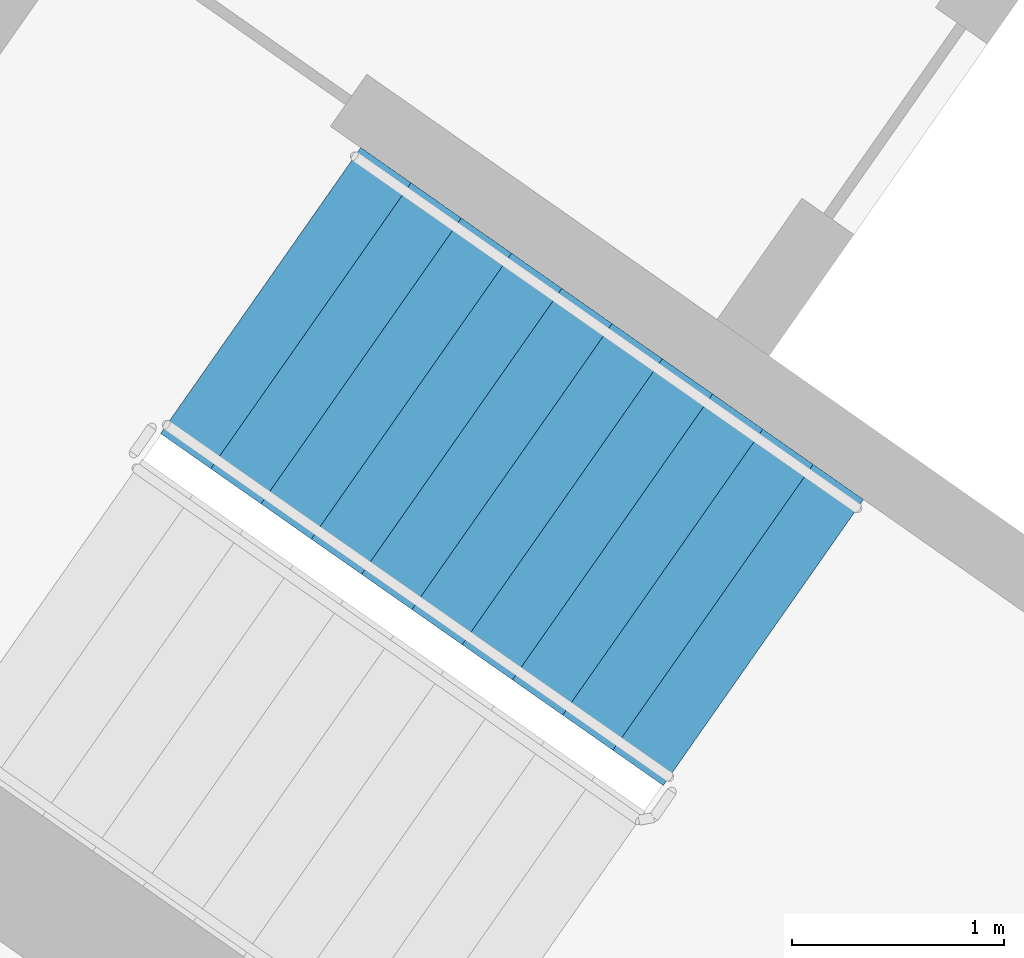
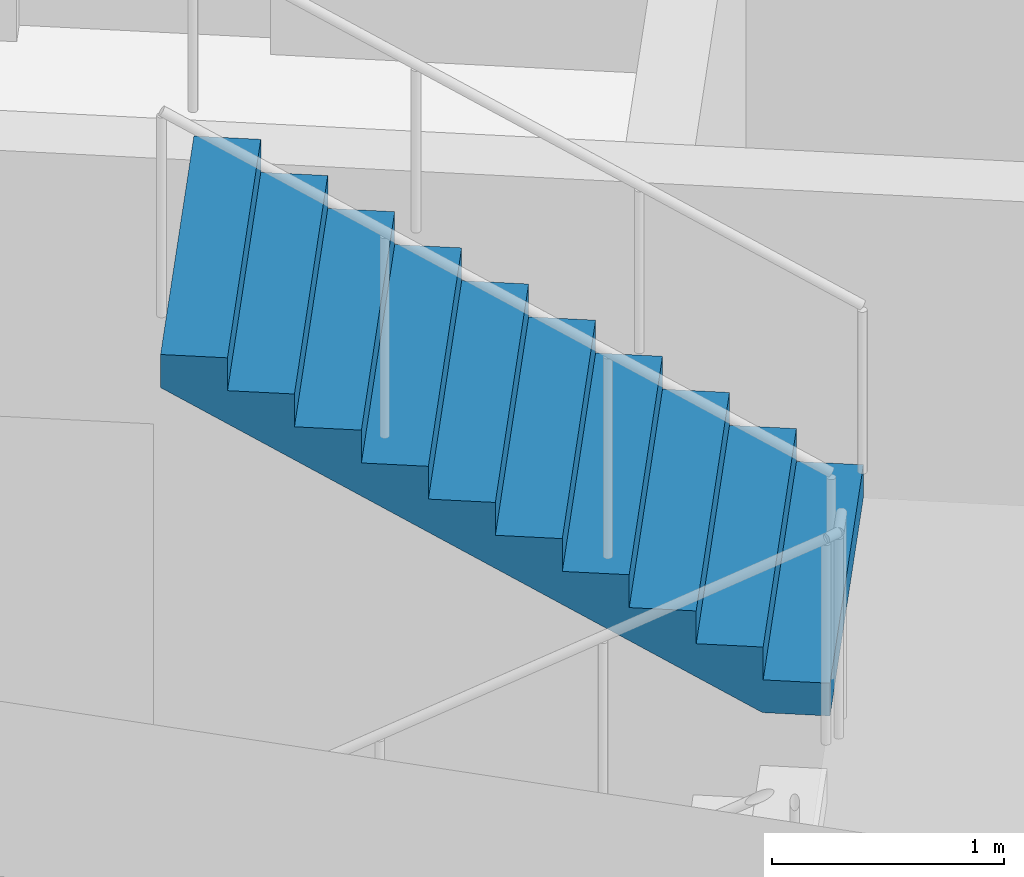
# One storey, part 11 of 28: 1 stair flight, 1 element without a shape of its own.
"""IFC4 building model written with IfcOpenShell, lengths in metres."""

from ifc_helpers import new_model, si_unit, direction, frame, origin, place, context, subcontext, project, spatial, faceted_brep, material, type_object, element, aggregate, save


model = new_model("IFC4")

# Units and contexts
model_context = context("Model", 3, precision=1e-05, world=origin(), true_north=direction((0.0, 1.0)))
body_context = subcontext(model_context, "Body", "Model", "MODEL_VIEW")
ifc_project = project(units=[si_unit("LENGTHUNIT", "METRE"), si_unit("AREAUNIT", "SQUARE_METRE"), si_unit("VOLUMEUNIT", "CUBIC_METRE"), si_unit("PLANEANGLEUNIT", "RADIAN"), si_unit("MASSUNIT", "GRAM", prefix="KILO")], contexts=[model_context])

# Site, building, storey
site_placement = place(None, origin())
site = spatial("IfcSite", under=ifc_project, at=site_placement, CompositionType="ELEMENT")
building_placement = place(site_placement, origin())
building = spatial("IfcBuilding", under=site, at=building_placement, Name="Qamariyya Broadcast Tower", CompositionType="ELEMENT")
storey_placement = place(building_placement, frame((0.0, 0.0, 215.10009765625)))
storey = spatial("IfcBuildingStorey", under=building, at=storey_placement, Name="L51", CompositionType="ELEMENT", Elevation=215.10009765625)

# Stair, stair flight
ifc_material = material(Name="Concrete C50/60", Category="concrete")
stair_type = type_object("IfcStairType", Name="Exit stair 22 risers of 173 mm", PredefinedType="HALF_TURN_STAIR", material=ifc_material)
stair_placement = place(storey_placement, origin())
stair = element("IfcStair", 1, at=stair_placement, inside=storey, type_object=stair_type, Name="L51 Stair W1", PredefinedType="HALF_TURN_STAIR")
stair_flight_type = type_object("IfcStairFlightType", Name="Exit stair flight 11 risers of 173 mm", PredefinedType="STRAIGHT", material=ifc_material)
stair_flight_placement = place(storey_placement, frame((-43.660888671875, -57.17138671875, 1.89990234375), z_axis=(0.0, 0.0, 1.0), x_axis=(-0.819152044289, 0.573576436351, 0.0)))
stair_flight = element("IfcStairFlight", 2, at=stair_flight_placement, type_object=stair_flight_type, Name="ST-W1 flight 2", NumberOfRisers=11, NumberOfTreads=10, PredefinedType="STRAIGHT", RiserHeight=0.172727273, TreadLength=0.29, context=body_context, shape_type="Brep", body=[
    faceted_brep([(0.0, 0.824951171875, 0.0), (0.0, 0.824951171875, 0.172607421875), (0.2900390625, 0.824951171875, 0.172607421875), (0.2900390625, 0.824951171875, 0.345458984375), (0.580078125, 0.824951171875, 0.345458984375), (0.580078125, 0.824951171875, 0.51806640625), (0.8701171875, 0.824951171875, 0.51806640625), (0.8701171875, 0.824951171875, 0.69091796875), (1.159912109375, 0.824951171875, 0.69091796875), (1.159912109375, 0.824951171875, 0.863525390625), (1.449951171875, 0.824951171875, 0.863525390625), (1.449951171875, 0.824951171875, 1.036376953125), (1.739990234375, 0.824951171875, 1.036376953125), (1.739990234375, 0.824951171875, 1.208984375), (2.030029296875, 0.824951171875, 1.208984375), (2.030029296875, 0.824951171875, 1.3818359375), (2.320068359375, 0.824951171875, 1.3818359375), (2.320068359375, 0.824951171875, 1.554443359375), (2.610107421875, 0.824951171875, 1.554443359375), (2.610107421875, 0.824951171875, 1.727294921875), (2.89990234375, 0.824951171875, 1.727294921875), (2.89990234375, 0.824951171875, 1.552734375), (0.29296875, 0.824951171875, 0.0), (0.29296875, -0.824951171875, 0.0), (2.89990234375, -0.824951171875, 1.552734375), (2.89990234375, -0.824951171875, 1.727294921875), (2.610107421875, -0.824951171875, 1.727294921875), (2.610107421875, -0.824951171875, 1.554443359375), (2.320068359375, -0.824951171875, 1.554443359375), (2.320068359375, -0.824951171875, 1.3818359375), (2.030029296875, -0.824951171875, 1.3818359375), (2.030029296875, -0.824951171875, 1.208984375), (1.739990234375, -0.824951171875, 1.208984375), (1.739990234375, -0.824951171875, 1.036376953125), (1.449951171875, -0.824951171875, 1.036376953125), (1.449951171875, -0.824951171875, 0.863525390625), (1.159912109375, -0.824951171875, 0.863525390625), (1.159912109375, -0.824951171875, 0.69091796875), (0.8701171875, -0.824951171875, 0.69091796875), (0.8701171875, -0.824951171875, 0.51806640625), (0.580078125, -0.824951171875, 0.51806640625), (0.580078125, -0.824951171875, 0.345458984375), (0.2900390625, -0.824951171875, 0.345458984375), (0.2900390625, -0.824951171875, 0.172607421875), (0.0, -0.824951171875, 0.172607421875), (0.0, -0.824951171875, 0.0), (0.0, 0.10009765625, 0.0), (0.0, 0.086669921875, 0.0), (0.0, 0.0732421875, 0.0), (0.0, 0.06005859375, 0.0), (0.0, 0.046630859375, 0.0), (0.0, 0.033447265625, 0.0), (0.0, 0.02001953125, 0.0), (0.0, 0.006591796875, 0.0), (0.0, -0.006591796875, 0.0), (0.0, -0.02001953125, 0.0), (0.0, -0.033447265625, 0.0), (0.0, -0.046630859375, 0.0), (0.0, -0.06005859375, 0.0), (0.0, -0.0732421875, 0.0), (0.0, -0.086669921875, 0.0), (0.0, -0.10009765625, 0.0), (0.0, -0.10009765625, 0.172607421875), (0.0, -0.086669921875, 0.172607421875), (0.0, -0.0732421875, 0.172607421875), (0.0, -0.06005859375, 0.172607421875), (0.0, -0.046630859375, 0.172607421875), (0.0, -0.033447265625, 0.172607421875), (0.0, -0.02001953125, 0.172607421875), (0.0, -0.006591796875, 0.172607421875), (0.0, 0.006591796875, 0.172607421875), (0.0, 0.02001953125, 0.172607421875), (0.0, 0.033447265625, 0.172607421875), (0.0, 0.046630859375, 0.172607421875), (0.0, 0.06005859375, 0.172607421875), (0.0, 0.0732421875, 0.172607421875), (0.0, 0.086669921875, 0.172607421875), (0.0, 0.10009765625, 0.172607421875), (0.2900390625, -0.10009765625, 0.172607421875), (0.2900390625, -0.086669921875, 0.172607421875), (0.2900390625, -0.0732421875, 0.172607421875), (0.2900390625, -0.06005859375, 0.172607421875), (0.2900390625, -0.046630859375, 0.172607421875), (0.2900390625, -0.033447265625, 0.172607421875), (0.2900390625, -0.02001953125, 0.172607421875), (0.2900390625, -0.006591796875, 0.172607421875), (0.2900390625, 0.006591796875, 0.172607421875), (0.2900390625, 0.02001953125, 0.172607421875), (0.2900390625, 0.033447265625, 0.172607421875), (0.2900390625, 0.046630859375, 0.172607421875), (0.2900390625, 0.06005859375, 0.172607421875), (0.2900390625, 0.0732421875, 0.172607421875), (0.2900390625, 0.086669921875, 0.172607421875), (0.2900390625, 0.10009765625, 0.172607421875), (0.2900390625, -0.10009765625, 0.345458984375), (0.2900390625, -0.086669921875, 0.345458984375), (0.2900390625, -0.0732421875, 0.345458984375), (0.2900390625, -0.06005859375, 0.345458984375), (0.2900390625, -0.046630859375, 0.345458984375), (0.2900390625, -0.033447265625, 0.345458984375), (0.2900390625, -0.02001953125, 0.345458984375), (0.2900390625, -0.006591796875, 0.345458984375), (0.2900390625, 0.006591796875, 0.345458984375), (0.2900390625, 0.02001953125, 0.345458984375), (0.2900390625, 0.033447265625, 0.345458984375), (0.2900390625, 0.046630859375, 0.345458984375), (0.2900390625, 0.06005859375, 0.345458984375), (0.2900390625, 0.0732421875, 0.345458984375), (0.2900390625, 0.086669921875, 0.345458984375), (0.2900390625, 0.10009765625, 0.345458984375), (0.580078125, -0.10009765625, 0.345458984375), (0.580078125, -0.086669921875, 0.345458984375), (0.580078125, -0.0732421875, 0.345458984375), (0.580078125, -0.06005859375, 0.345458984375), (0.580078125, -0.046630859375, 0.345458984375), (0.580078125, -0.033447265625, 0.345458984375), (0.580078125, -0.02001953125, 0.345458984375), (0.580078125, -0.006591796875, 0.345458984375), (0.580078125, 0.006591796875, 0.345458984375), (0.580078125, 0.02001953125, 0.345458984375), (0.580078125, 0.033447265625, 0.345458984375), (0.580078125, 0.046630859375, 0.345458984375), (0.580078125, 0.06005859375, 0.345458984375), (0.580078125, 0.0732421875, 0.345458984375), (0.580078125, 0.086669921875, 0.345458984375), (0.580078125, 0.10009765625, 0.345458984375), (0.580078125, -0.10009765625, 0.51806640625), (0.580078125, -0.086669921875, 0.51806640625), (0.580078125, -0.0732421875, 0.51806640625), (0.580078125, -0.06005859375, 0.51806640625), (0.580078125, -0.046630859375, 0.51806640625), (0.580078125, -0.033447265625, 0.51806640625), (0.580078125, -0.02001953125, 0.51806640625), (0.580078125, -0.006591796875, 0.51806640625), (0.580078125, 0.006591796875, 0.51806640625), (0.580078125, 0.02001953125, 0.51806640625), (0.580078125, 0.033447265625, 0.51806640625), (0.580078125, 0.046630859375, 0.51806640625), (0.580078125, 0.06005859375, 0.51806640625), (0.580078125, 0.0732421875, 0.51806640625), (0.580078125, 0.086669921875, 0.51806640625), (0.580078125, 0.10009765625, 0.51806640625), (0.8701171875, -0.10009765625, 0.51806640625), (0.8701171875, -0.086669921875, 0.51806640625), (0.8701171875, -0.0732421875, 0.51806640625), (0.8701171875, -0.06005859375, 0.51806640625), (0.8701171875, -0.046630859375, 0.51806640625), (0.8701171875, -0.033447265625, 0.51806640625), (0.8701171875, -0.02001953125, 0.51806640625), (0.8701171875, -0.006591796875, 0.51806640625), (0.8701171875, 0.006591796875, 0.51806640625), (0.8701171875, 0.02001953125, 0.51806640625), (0.8701171875, 0.033447265625, 0.51806640625), (0.8701171875, 0.046630859375, 0.51806640625), (0.8701171875, 0.06005859375, 0.51806640625), (0.8701171875, 0.0732421875, 0.51806640625), (0.8701171875, 0.086669921875, 0.51806640625), (0.8701171875, 0.10009765625, 0.51806640625), (0.8701171875, -0.10009765625, 0.69091796875), (0.8701171875, -0.086669921875, 0.69091796875), (0.8701171875, -0.0732421875, 0.69091796875), (0.8701171875, -0.06005859375, 0.69091796875), (0.8701171875, -0.046630859375, 0.69091796875), (0.8701171875, -0.033447265625, 0.69091796875), (0.8701171875, -0.02001953125, 0.69091796875), (0.8701171875, -0.006591796875, 0.69091796875), (0.8701171875, 0.006591796875, 0.69091796875), (0.8701171875, 0.02001953125, 0.69091796875), (0.8701171875, 0.033447265625, 0.69091796875), (0.8701171875, 0.046630859375, 0.69091796875), (0.8701171875, 0.06005859375, 0.69091796875), (0.8701171875, 0.0732421875, 0.69091796875), (0.8701171875, 0.086669921875, 0.69091796875), (0.8701171875, 0.10009765625, 0.69091796875), (1.159912109375, -0.10009765625, 0.69091796875), (1.159912109375, -0.086669921875, 0.69091796875), (1.159912109375, -0.0732421875, 0.69091796875), (1.159912109375, -0.06005859375, 0.69091796875), (1.159912109375, -0.046630859375, 0.69091796875), (1.159912109375, -0.033447265625, 0.69091796875), (1.159912109375, -0.02001953125, 0.69091796875), (1.159912109375, -0.006591796875, 0.69091796875), (1.159912109375, 0.006591796875, 0.69091796875), (1.159912109375, 0.02001953125, 0.69091796875), (1.159912109375, 0.033447265625, 0.69091796875), (1.159912109375, 0.046630859375, 0.69091796875), (1.159912109375, 0.06005859375, 0.69091796875), (1.159912109375, 0.0732421875, 0.69091796875), (1.159912109375, 0.086669921875, 0.69091796875), (1.159912109375, 0.10009765625, 0.69091796875), (1.159912109375, -0.10009765625, 0.863525390625), (1.159912109375, -0.086669921875, 0.863525390625), (1.159912109375, -0.0732421875, 0.863525390625), (1.159912109375, -0.06005859375, 0.863525390625), (1.159912109375, -0.046630859375, 0.863525390625), (1.159912109375, -0.033447265625, 0.863525390625), (1.159912109375, -0.02001953125, 0.863525390625), (1.159912109375, -0.006591796875, 0.863525390625), (1.159912109375, 0.006591796875, 0.863525390625), (1.159912109375, 0.02001953125, 0.863525390625), (1.159912109375, 0.033447265625, 0.863525390625), (1.159912109375, 0.046630859375, 0.863525390625), (1.159912109375, 0.06005859375, 0.863525390625), (1.159912109375, 0.0732421875, 0.863525390625), (1.159912109375, 0.086669921875, 0.863525390625), (1.159912109375, 0.10009765625, 0.863525390625), (1.449951171875, -0.10009765625, 0.863525390625), (1.449951171875, -0.086669921875, 0.863525390625), (1.449951171875, -0.0732421875, 0.863525390625), (1.449951171875, -0.06005859375, 0.863525390625), (1.449951171875, -0.046630859375, 0.863525390625), (1.449951171875, -0.033447265625, 0.863525390625), (1.449951171875, -0.02001953125, 0.863525390625), (1.449951171875, -0.006591796875, 0.863525390625), (1.449951171875, 0.006591796875, 0.863525390625), (1.449951171875, 0.02001953125, 0.863525390625), (1.449951171875, 0.033447265625, 0.863525390625), (1.449951171875, 0.046630859375, 0.863525390625), (1.449951171875, 0.06005859375, 0.863525390625), (1.449951171875, 0.0732421875, 0.863525390625), (1.449951171875, 0.086669921875, 0.863525390625), (1.449951171875, 0.10009765625, 0.863525390625), (1.449951171875, -0.10009765625, 1.036376953125), (1.449951171875, -0.086669921875, 1.036376953125), (1.449951171875, -0.0732421875, 1.036376953125), (1.449951171875, -0.06005859375, 1.036376953125), (1.449951171875, -0.046630859375, 1.036376953125), (1.449951171875, -0.033447265625, 1.036376953125), (1.449951171875, -0.02001953125, 1.036376953125), (1.449951171875, -0.006591796875, 1.036376953125), (1.449951171875, 0.006591796875, 1.036376953125), (1.449951171875, 0.02001953125, 1.036376953125), (1.449951171875, 0.033447265625, 1.036376953125), (1.449951171875, 0.046630859375, 1.036376953125), (1.449951171875, 0.06005859375, 1.036376953125), (1.449951171875, 0.0732421875, 1.036376953125), (1.449951171875, 0.086669921875, 1.036376953125), (1.449951171875, 0.10009765625, 1.036376953125), (1.739990234375, -0.10009765625, 1.036376953125), (1.739990234375, -0.086669921875, 1.036376953125), (1.739990234375, -0.0732421875, 1.036376953125), (1.739990234375, -0.06005859375, 1.036376953125), (1.739990234375, -0.046630859375, 1.036376953125), (1.739990234375, -0.033447265625, 1.036376953125), (1.739990234375, -0.02001953125, 1.036376953125), (1.739990234375, -0.006591796875, 1.036376953125), (1.739990234375, 0.006591796875, 1.036376953125), (1.739990234375, 0.02001953125, 1.036376953125), (1.739990234375, 0.033447265625, 1.036376953125), (1.739990234375, 0.046630859375, 1.036376953125), (1.739990234375, 0.06005859375, 1.036376953125), (1.739990234375, 0.0732421875, 1.036376953125), (1.739990234375, 0.086669921875, 1.036376953125), (1.739990234375, 0.10009765625, 1.036376953125), (1.739990234375, -0.10009765625, 1.208984375), (1.739990234375, -0.086669921875, 1.208984375), (1.739990234375, -0.0732421875, 1.208984375), (1.739990234375, -0.06005859375, 1.208984375), (1.739990234375, -0.046630859375, 1.208984375), (1.739990234375, -0.033447265625, 1.208984375), (1.739990234375, -0.02001953125, 1.208984375), (1.739990234375, -0.006591796875, 1.208984375), (1.739990234375, 0.006591796875, 1.208984375), (1.739990234375, 0.02001953125, 1.208984375), (1.739990234375, 0.033447265625, 1.208984375), (1.739990234375, 0.046630859375, 1.208984375), (1.739990234375, 0.06005859375, 1.208984375), (1.739990234375, 0.0732421875, 1.208984375), (1.739990234375, 0.086669921875, 1.208984375), (1.739990234375, 0.10009765625, 1.208984375), (2.030029296875, -0.10009765625, 1.208984375), (2.030029296875, -0.086669921875, 1.208984375), (2.030029296875, -0.0732421875, 1.208984375), (2.030029296875, -0.06005859375, 1.208984375), (2.030029296875, -0.046630859375, 1.208984375), (2.030029296875, -0.033447265625, 1.208984375), (2.030029296875, -0.02001953125, 1.208984375), (2.030029296875, -0.006591796875, 1.208984375), (2.030029296875, 0.006591796875, 1.208984375), (2.030029296875, 0.02001953125, 1.208984375), (2.030029296875, 0.033447265625, 1.208984375), (2.030029296875, 0.046630859375, 1.208984375), (2.030029296875, 0.06005859375, 1.208984375), (2.030029296875, 0.0732421875, 1.208984375), (2.030029296875, 0.086669921875, 1.208984375), (2.030029296875, 0.10009765625, 1.208984375), (2.030029296875, -0.10009765625, 1.3818359375), (2.030029296875, -0.086669921875, 1.3818359375), (2.030029296875, -0.0732421875, 1.3818359375), (2.030029296875, -0.06005859375, 1.3818359375), (2.030029296875, -0.046630859375, 1.3818359375), (2.030029296875, -0.033447265625, 1.3818359375), (2.030029296875, -0.02001953125, 1.3818359375), (2.030029296875, -0.006591796875, 1.3818359375), (2.030029296875, 0.006591796875, 1.3818359375), (2.030029296875, 0.02001953125, 1.3818359375), (2.030029296875, 0.033447265625, 1.3818359375), (2.030029296875, 0.046630859375, 1.3818359375), (2.030029296875, 0.06005859375, 1.3818359375), (2.030029296875, 0.0732421875, 1.3818359375), (2.030029296875, 0.086669921875, 1.3818359375), (2.030029296875, 0.10009765625, 1.3818359375), (2.320068359375, -0.10009765625, 1.3818359375), (2.320068359375, -0.086669921875, 1.3818359375), (2.320068359375, -0.0732421875, 1.3818359375), (2.320068359375, -0.06005859375, 1.3818359375), (2.320068359375, -0.046630859375, 1.3818359375), (2.320068359375, -0.033447265625, 1.3818359375), (2.320068359375, -0.02001953125, 1.3818359375), (2.320068359375, -0.006591796875, 1.3818359375), (2.320068359375, 0.006591796875, 1.3818359375), (2.320068359375, 0.02001953125, 1.3818359375), (2.320068359375, 0.033447265625, 1.3818359375), (2.320068359375, 0.046630859375, 1.3818359375), (2.320068359375, 0.06005859375, 1.3818359375), (2.320068359375, 0.0732421875, 1.3818359375), (2.320068359375, 0.086669921875, 1.3818359375), (2.320068359375, 0.10009765625, 1.3818359375), (2.320068359375, -0.10009765625, 1.554443359375), (2.320068359375, -0.086669921875, 1.554443359375), (2.320068359375, -0.0732421875, 1.554443359375), (2.320068359375, -0.06005859375, 1.554443359375), (2.320068359375, -0.046630859375, 1.554443359375), (2.320068359375, -0.033447265625, 1.554443359375), (2.320068359375, -0.02001953125, 1.554443359375), (2.320068359375, -0.006591796875, 1.554443359375), (2.320068359375, 0.006591796875, 1.554443359375), (2.320068359375, 0.02001953125, 1.554443359375), (2.320068359375, 0.033447265625, 1.554443359375), (2.320068359375, 0.046630859375, 1.554443359375), (2.320068359375, 0.06005859375, 1.554443359375), (2.320068359375, 0.0732421875, 1.554443359375), (2.320068359375, 0.086669921875, 1.554443359375), (2.320068359375, 0.10009765625, 1.554443359375), (2.610107421875, -0.10009765625, 1.554443359375), (2.610107421875, -0.086669921875, 1.554443359375), (2.610107421875, -0.0732421875, 1.554443359375), (2.610107421875, -0.06005859375, 1.554443359375), (2.610107421875, -0.046630859375, 1.554443359375), (2.610107421875, -0.033447265625, 1.554443359375), (2.610107421875, -0.02001953125, 1.554443359375), (2.610107421875, -0.006591796875, 1.554443359375), (2.610107421875, 0.006591796875, 1.554443359375), (2.610107421875, 0.02001953125, 1.554443359375), (2.610107421875, 0.033447265625, 1.554443359375), (2.610107421875, 0.046630859375, 1.554443359375), (2.610107421875, 0.06005859375, 1.554443359375), (2.610107421875, 0.0732421875, 1.554443359375), (2.610107421875, 0.086669921875, 1.554443359375), (2.610107421875, 0.10009765625, 1.554443359375), (2.610107421875, -0.10009765625, 1.727294921875), (2.610107421875, -0.086669921875, 1.727294921875), (2.610107421875, -0.0732421875, 1.727294921875), (2.610107421875, -0.06005859375, 1.727294921875), (2.610107421875, -0.046630859375, 1.727294921875), (2.610107421875, -0.033447265625, 1.727294921875), (2.610107421875, -0.02001953125, 1.727294921875), (2.610107421875, -0.006591796875, 1.727294921875), (2.610107421875, 0.006591796875, 1.727294921875), (2.610107421875, 0.02001953125, 1.727294921875), (2.610107421875, 0.033447265625, 1.727294921875), (2.610107421875, 0.046630859375, 1.727294921875), (2.610107421875, 0.06005859375, 1.727294921875), (2.610107421875, 0.0732421875, 1.727294921875), (2.610107421875, 0.086669921875, 1.727294921875), (2.610107421875, 0.10009765625, 1.727294921875), (2.89990234375, -0.10009765625, 1.727294921875), (2.89990234375, -0.086669921875, 1.727294921875), (2.89990234375, -0.0732421875, 1.727294921875), (2.89990234375, -0.06005859375, 1.727294921875), (2.89990234375, -0.046630859375, 1.727294921875), (2.89990234375, -0.033447265625, 1.727294921875), (2.89990234375, -0.02001953125, 1.727294921875), (2.89990234375, -0.006591796875, 1.727294921875), (2.89990234375, 0.006591796875, 1.727294921875), (2.89990234375, 0.02001953125, 1.727294921875), (2.89990234375, 0.033447265625, 1.727294921875), (2.89990234375, 0.046630859375, 1.727294921875), (2.89990234375, 0.06005859375, 1.727294921875), (2.89990234375, 0.0732421875, 1.727294921875), (2.89990234375, 0.086669921875, 1.727294921875), (2.89990234375, 0.10009765625, 1.727294921875), (2.89990234375, -0.10009765625, 1.552734375), (2.89990234375, -0.086669921875, 1.552734375), (2.89990234375, -0.0732421875, 1.552734375), (2.89990234375, -0.06005859375, 1.552734375), (2.89990234375, -0.046630859375, 1.552734375), (2.89990234375, -0.033447265625, 1.552734375), (2.89990234375, -0.02001953125, 1.552734375), (2.89990234375, -0.006591796875, 1.552734375), (2.89990234375, 0.006591796875, 1.552734375), (2.89990234375, 0.02001953125, 1.552734375), (2.89990234375, 0.033447265625, 1.552734375), (2.89990234375, 0.046630859375, 1.552734375), (2.89990234375, 0.06005859375, 1.552734375), (2.89990234375, 0.0732421875, 1.552734375), (2.89990234375, 0.086669921875, 1.552734375), (2.89990234375, 0.10009765625, 1.552734375), (0.29296875, -0.10009765625, 0.0), (0.29296875, -0.086669921875, 0.0), (0.29296875, -0.0732421875, 0.0), (0.29296875, -0.06005859375, 0.0), (0.29296875, -0.046630859375, 0.0), (0.29296875, -0.033447265625, 0.0), (0.29296875, -0.02001953125, 0.0), (0.29296875, -0.006591796875, 0.0), (0.29296875, 0.006591796875, 0.0), (0.29296875, 0.02001953125, 0.0), (0.29296875, 0.033447265625, 0.0), (0.29296875, 0.046630859375, 0.0), (0.29296875, 0.06005859375, 0.0), (0.29296875, 0.0732421875, 0.0), (0.29296875, 0.086669921875, 0.0), (0.29296875, 0.10009765625, 0.0)], [[[0, 1, 2, 3, 4, 5, 6, 7, 8, 9, 10, 11, 12, 13, 14, 15, 16, 17, 18, 19, 20, 21, 22]], [[23, 24, 25, 26, 27, 28, 29, 30, 31, 32, 33, 34, 35, 36, 37, 38, 39, 40, 41, 42, 43, 44, 45]], [[0, 46, 47, 48, 49, 50, 51, 52, 53, 54, 55, 56, 57, 58, 59, 60, 61, 45, 44, 62, 63, 64, 65, 66, 67, 68, 69, 70, 71, 72, 73, 74, 75, 76, 77, 1]], [[1, 77, 76, 75, 74, 73, 72, 71, 70, 69, 68, 67, 66, 65, 64, 63, 62, 44, 43, 78, 79, 80, 81, 82, 83, 84, 85, 86, 87, 88, 89, 90, 91, 92, 93, 2]], [[2, 93, 92, 91, 90, 89, 88, 87, 86, 85, 84, 83, 82, 81, 80, 79, 78, 43, 42, 94, 95, 96, 97, 98, 99, 100, 101, 102, 103, 104, 105, 106, 107, 108, 109, 3]], [[3, 109, 108, 107, 106, 105, 104, 103, 102, 101, 100, 99, 98, 97, 96, 95, 94, 42, 41, 110, 111, 112, 113, 114, 115, 116, 117, 118, 119, 120, 121, 122, 123, 124, 125, 4]], [[4, 125, 124, 123, 122, 121, 120, 119, 118, 117, 116, 115, 114, 113, 112, 111, 110, 41, 40, 126, 127, 128, 129, 130, 131, 132, 133, 134, 135, 136, 137, 138, 139, 140, 141, 5]], [[5, 141, 140, 139, 138, 137, 136, 135, 134, 133, 132, 131, 130, 129, 128, 127, 126, 40, 39, 142, 143, 144, 145, 146, 147, 148, 149, 150, 151, 152, 153, 154, 155, 156, 157, 6]], [[6, 157, 156, 155, 154, 153, 152, 151, 150, 149, 148, 147, 146, 145, 144, 143, 142, 39, 38, 158, 159, 160, 161, 162, 163, 164, 165, 166, 167, 168, 169, 170, 171, 172, 173, 7]], [[7, 173, 172, 171, 170, 169, 168, 167, 166, 165, 164, 163, 162, 161, 160, 159, 158, 38, 37, 174, 175, 176, 177, 178, 179, 180, 181, 182, 183, 184, 185, 186, 187, 188, 189, 8]], [[8, 189, 188, 187, 186, 185, 184, 183, 182, 181, 180, 179, 178, 177, 176, 175, 174, 37, 36, 190, 191, 192, 193, 194, 195, 196, 197, 198, 199, 200, 201, 202, 203, 204, 205, 9]], [[9, 205, 204, 203, 202, 201, 200, 199, 198, 197, 196, 195, 194, 193, 192, 191, 190, 36, 35, 206, 207, 208, 209, 210, 211, 212, 213, 214, 215, 216, 217, 218, 219, 220, 221, 10]], [[10, 221, 220, 219, 218, 217, 216, 215, 214, 213, 212, 211, 210, 209, 208, 207, 206, 35, 34, 222, 223, 224, 225, 226, 227, 228, 229, 230, 231, 232, 233, 234, 235, 236, 237, 11]], [[11, 237, 236, 235, 234, 233, 232, 231, 230, 229, 228, 227, 226, 225, 224, 223, 222, 34, 33, 238, 239, 240, 241, 242, 243, 244, 245, 246, 247, 248, 249, 250, 251, 252, 253, 12]], [[12, 253, 252, 251, 250, 249, 248, 247, 246, 245, 244, 243, 242, 241, 240, 239, 238, 33, 32, 254, 255, 256, 257, 258, 259, 260, 261, 262, 263, 264, 265, 266, 267, 268, 269, 13]], [[13, 269, 268, 267, 266, 265, 264, 263, 262, 261, 260, 259, 258, 257, 256, 255, 254, 32, 31, 270, 271, 272, 273, 274, 275, 276, 277, 278, 279, 280, 281, 282, 283, 284, 285, 14]], [[14, 285, 284, 283, 282, 281, 280, 279, 278, 277, 276, 275, 274, 273, 272, 271, 270, 31, 30, 286, 287, 288, 289, 290, 291, 292, 293, 294, 295, 296, 297, 298, 299, 300, 301, 15]], [[15, 301, 300, 299, 298, 297, 296, 295, 294, 293, 292, 291, 290, 289, 288, 287, 286, 30, 29, 302, 303, 304, 305, 306, 307, 308, 309, 310, 311, 312, 313, 314, 315, 316, 317, 16]], [[16, 317, 316, 315, 314, 313, 312, 311, 310, 309, 308, 307, 306, 305, 304, 303, 302, 29, 28, 318, 319, 320, 321, 322, 323, 324, 325, 326, 327, 328, 329, 330, 331, 332, 333, 17]], [[17, 333, 332, 331, 330, 329, 328, 327, 326, 325, 324, 323, 322, 321, 320, 319, 318, 28, 27, 334, 335, 336, 337, 338, 339, 340, 341, 342, 343, 344, 345, 346, 347, 348, 349, 18]], [[18, 349, 348, 347, 346, 345, 344, 343, 342, 341, 340, 339, 338, 337, 336, 335, 334, 27, 26, 350, 351, 352, 353, 354, 355, 356, 357, 358, 359, 360, 361, 362, 363, 364, 365, 19]], [[19, 365, 364, 363, 362, 361, 360, 359, 358, 357, 356, 355, 354, 353, 352, 351, 350, 26, 25, 366, 367, 368, 369, 370, 371, 372, 373, 374, 375, 376, 377, 378, 379, 380, 381, 20]], [[20, 381, 380, 379, 378, 377, 376, 375, 374, 373, 372, 371, 370, 369, 368, 367, 366, 25, 24, 382, 383, 384, 385, 386, 387, 388, 389, 390, 391, 392, 393, 394, 395, 396, 397, 21]], [[21, 397, 396, 395, 394, 393, 392, 391, 390, 389, 388, 387, 386, 385, 384, 383, 382, 24, 23, 398, 399, 400, 401, 402, 403, 404, 405, 406, 407, 408, 409, 410, 411, 412, 413, 22]], [[22, 413, 412, 411, 410, 409, 408, 407, 406, 405, 404, 403, 402, 401, 400, 399, 398, 23, 45, 61, 60, 59, 58, 57, 56, 55, 54, 53, 52, 51, 50, 49, 48, 47, 46, 0]]]),
])
aggregate(stair, [stair_flight])

save(model, "model.ifc")
